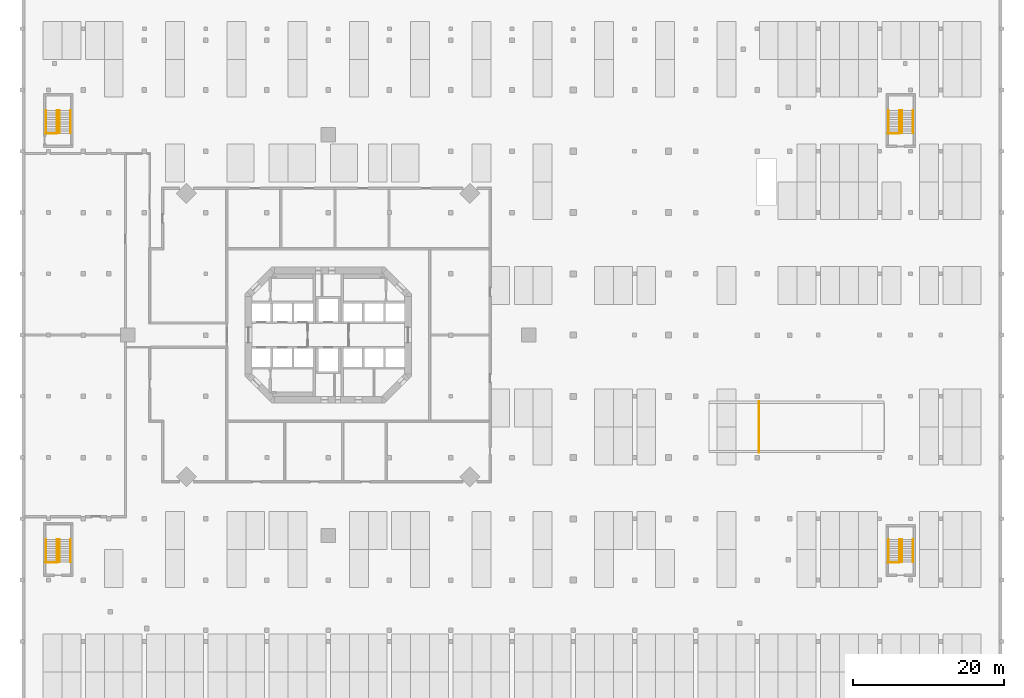
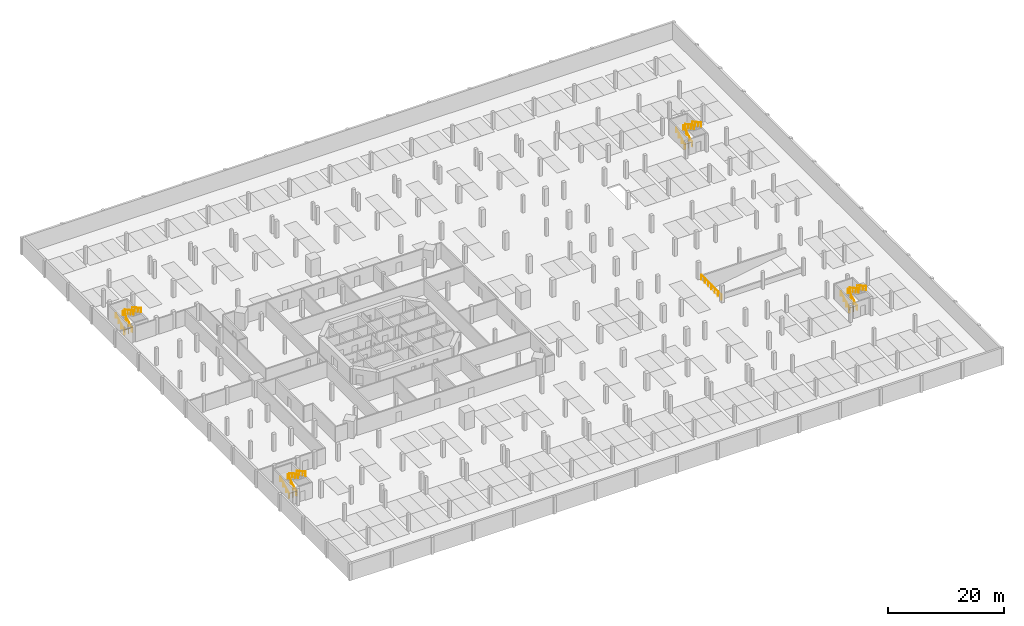
# One storey, part 14 of 14: 21 railings, 4 elements without a shape of their own.
"""IFC4 building model written with IfcOpenShell, lengths in metres."""

from ifc_helpers import new_model, si_unit, direction, frame, origin, origin_2d, place, context, subcontext, project, spatial, rectangle, extrude, material, type_object, element, aggregate, save


model = new_model("IFC4")

# Units and contexts
model_context = context("Model", 3, precision=1e-05, world=origin(), true_north=direction((0.0, 1.0)))
body_context = subcontext(model_context, "Body", "Model", "MODEL_VIEW")
ifc_project = project(units=[si_unit("LENGTHUNIT", "METRE"), si_unit("AREAUNIT", "SQUARE_METRE"), si_unit("VOLUMEUNIT", "CUBIC_METRE"), si_unit("PLANEANGLEUNIT", "RADIAN"), si_unit("MASSUNIT", "GRAM", prefix="KILO")], contexts=[model_context])

# Site, building, storey
site_placement = place(None, origin())
site = spatial("IfcSite", under=ifc_project, at=site_placement, CompositionType="ELEMENT")
building_placement = place(site_placement, origin())
building = spatial("IfcBuilding", under=site, at=building_placement, Name="Torre Triforio", CompositionType="ELEMENT")
storey_placement = place(building_placement, frame((0.0, 0.0, -7.199951171875)))
storey = spatial("IfcBuildingStorey", under=building, at=storey_placement, Name="B2", CompositionType="ELEMENT", Elevation=-7.199951171875)

# Railing
ifc_material_1 = material(Name="Stainless steel AISI 316", Category="steel")
railing_type_1 = type_object("IfcRailingType", Name="Ramp opening guard 1100", PredefinedType="GUARDRAIL", material=ifc_material_1)
railing_1_placement = place(storey_placement, frame((56.93994140625, -15.550048828125, 0.0)))
element("IfcRailing", 1, at=railing_1_placement, inside=storey, type_object=railing_type_1, Name="Car ramp B2 to B3 opening guard", PredefinedType="GUARDRAIL", context=body_context, shape_type="SweptSolid", body=[
    extrude(rectangle(XDim=0.048095703125, YDim=0.048095703125, at=origin_2d()), frame((0.0, 0.0, 1.076171875), z_axis=(0.0, 1.0, 0.0), x_axis=(-1.0, 0.0, 0.0)), (0.0, 0.0, 1.0), 6.800048828125),
    extrude(rectangle(XDim=0.0419921875, YDim=0.0419921875, at=origin_2d()), origin(), (0.0, 0.0, 1.0), 1.052001953125),
    extrude(rectangle(XDim=0.0419921875, YDim=0.0419921875, at=origin_2d()), frame((0.0, 1.13330078125, 0.0)), (0.0, 0.0, 1.0), 1.052001953125),
    extrude(rectangle(XDim=0.0419921875, YDim=0.0419921875, at=origin_2d()), frame((0.0, 2.2666015625, 0.0)), (0.0, 0.0, 1.0), 1.052001953125),
    extrude(rectangle(XDim=0.0419921875, YDim=0.0419921875, at=origin_2d()), frame((0.0, 3.39990234375, 0.0)), (0.0, 0.0, 1.0), 1.052001953125),
    extrude(rectangle(XDim=0.0419921875, YDim=0.0419921875, at=origin_2d()), frame((0.0, 4.533447265625, 0.0)), (0.0, 0.0, 1.0), 1.052001953125),
    extrude(rectangle(XDim=0.0419921875, YDim=0.0419921875, at=origin_2d()), frame((0.0, 5.666748046875, 0.0)), (0.0, 0.0, 1.0), 1.052001953125),
    extrude(rectangle(XDim=0.0419921875, YDim=0.0419921875, at=origin_2d()), frame((0.0, 6.800048828125, 0.0)), (0.0, 0.0, 1.0), 1.052001953125),
])

# Stair, railings
ifc_material_2 = material(Name="Concrete C40", Category="concrete")
stair_type = type_object("IfcStairType", Name="Egress stair 1400 clear", PredefinedType="NOTDEFINED", material=ifc_material_2)
stair_1_placement = place(storey_placement, origin())
stair_1 = element("IfcStair", 2, at=stair_1_placement, inside=storey, type_object=stair_type, Name="Exit stair BS1 B2 to B1", PredefinedType="NOTDEFINED")
railing_type_2 = type_object("IfcRailingType", Name="Stair handrail 920", PredefinedType="HANDRAIL", material=ifc_material_1)
railing_2_placement = place(storey_placement, frame((-37.324951171875, -30.02490234375, 0.16357421875)))
railing_2 = element("IfcRailing", 3, at=railing_2_placement, type_object=railing_type_2, Name="Handrail BS1", PredefinedType="HANDRAIL", context=body_context, shape_type="SweptSolid", body=[
    extrude(rectangle(XDim=0.048095703125, YDim=0.048095703125, at=origin_2d()), frame((0.0, 0.0, 0.89599609375), z_axis=(0.0, 0.877881921179, 0.478877158013), x_axis=(-1.0, 0.0, 0.0)), (0.0, 0.0, 1.0), 3.417236328125),
    extrude(rectangle(XDim=0.0419921875, YDim=0.0419921875, at=origin_2d()), origin(), (0.0, 0.0, 1.0), 0.871826171875),
    extrude(rectangle(XDim=0.0419921875, YDim=0.0419921875, at=origin_2d()), frame((0.0, 1.0, 0.54541015625)), (0.0, 0.0, 1.0), 0.871826171875),
    extrude(rectangle(XDim=0.0419921875, YDim=0.0419921875, at=origin_2d()), frame((0.0, 2.0, 1.091064453125)), (0.0, 0.0, 1.0), 0.871826171875),
    extrude(rectangle(XDim=0.0419921875, YDim=0.0419921875, at=origin_2d()), frame((0.0, 3.0, 1.636474609375)), (0.0, 0.0, 1.0), 0.871826171875),
])
railing_3_placement = place(storey_placement, frame((-35.875, -30.02490234375, 0.16357421875)))
railing_3 = element("IfcRailing", 4, at=railing_3_placement, type_object=railing_type_2, Name="Handrail BS1", PredefinedType="HANDRAIL", context=body_context, shape_type="SweptSolid", body=[
    extrude(rectangle(XDim=0.048095703125, YDim=0.048095703125, at=origin_2d()), frame((0.0, 0.0, 0.89599609375), z_axis=(0.0, 0.877881921179, 0.478877158013), x_axis=(-1.0, 0.0, 0.0)), (0.0, 0.0, 1.0), 3.417236328125),
    extrude(rectangle(XDim=0.0419921875, YDim=0.0419921875, at=origin_2d()), origin(), (0.0, 0.0, 1.0), 0.871826171875),
    extrude(rectangle(XDim=0.0419921875, YDim=0.0419921875, at=origin_2d()), frame((0.0, 1.0, 0.54541015625)), (0.0, 0.0, 1.0), 0.871826171875),
    extrude(rectangle(XDim=0.0419921875, YDim=0.0419921875, at=origin_2d()), frame((0.0, 2.0, 1.091064453125)), (0.0, 0.0, 1.0), 0.871826171875),
    extrude(rectangle(XDim=0.0419921875, YDim=0.0419921875, at=origin_2d()), frame((0.0, 3.0, 1.636474609375)), (0.0, 0.0, 1.0), 0.871826171875),
])
railing_4_placement = place(storey_placement, frame((-35.52490234375, -27.02490234375, 1.963623046875)))
railing_4 = element("IfcRailing", 5, at=railing_4_placement, type_object=railing_type_2, Name="Handrail BS1", PredefinedType="HANDRAIL", context=body_context, shape_type="SweptSolid", body=[
    extrude(rectangle(XDim=0.048095703125, YDim=0.048095703125, at=origin_2d()), frame((0.0, 0.0, 0.89599609375), z_axis=(0.0, -0.877911954615, 0.47882209634), x_axis=(1.0, 0.0, 0.0)), (0.0, 0.0, 1.0), 3.417236328125),
    extrude(rectangle(XDim=0.0419921875, YDim=0.0419921875, at=origin_2d()), origin(), (0.0, 0.0, 1.0), 0.871826171875),
    extrude(rectangle(XDim=0.0419921875, YDim=0.0419921875, at=origin_2d()), frame((0.0, -1.0, 0.54541015625)), (0.0, 0.0, 1.0), 0.871826171875),
    extrude(rectangle(XDim=0.0419921875, YDim=0.0419921875, at=origin_2d()), frame((0.0, -2.0, 1.0908203125)), (0.0, 0.0, 1.0), 0.871826171875),
    extrude(rectangle(XDim=0.0419921875, YDim=0.0419921875, at=origin_2d()), frame((0.0, -3.0, 1.63623046875)), (0.0, 0.0, 1.0), 0.871826171875),
])
railing_5_placement = place(storey_placement, frame((-34.074951171875, -27.02490234375, 1.963623046875)))
railing_5 = element("IfcRailing", 6, at=railing_5_placement, type_object=railing_type_2, Name="Handrail BS1", PredefinedType="HANDRAIL", context=body_context, shape_type="SweptSolid", body=[
    extrude(rectangle(XDim=0.048095703125, YDim=0.048095703125, at=origin_2d()), frame((0.0, 0.0, 0.89599609375), z_axis=(0.0, -0.877911954615, 0.47882209634), x_axis=(1.0, 0.0, 0.0)), (0.0, 0.0, 1.0), 3.417236328125),
    extrude(rectangle(XDim=0.0419921875, YDim=0.0419921875, at=origin_2d()), origin(), (0.0, 0.0, 1.0), 0.871826171875),
    extrude(rectangle(XDim=0.0419921875, YDim=0.0419921875, at=origin_2d()), frame((0.0, -1.0, 0.54541015625)), (0.0, 0.0, 1.0), 0.871826171875),
    extrude(rectangle(XDim=0.0419921875, YDim=0.0419921875, at=origin_2d()), frame((0.0, -2.0, 1.0908203125)), (0.0, 0.0, 1.0), 0.871826171875),
    extrude(rectangle(XDim=0.0419921875, YDim=0.0419921875, at=origin_2d()), frame((0.0, -3.0, 1.63623046875)), (0.0, 0.0, 1.0), 0.871826171875),
])
aggregate(stair_1, [railing_2, railing_3, railing_4, railing_5])

stair_2_placement = place(storey_placement, origin())
stair_2 = element("IfcStair", 7, at=stair_2_placement, inside=storey, type_object=stair_type, Name="Exit stair BS2 B2 to B1", PredefinedType="NOTDEFINED")
railing_6_placement = place(storey_placement, frame((-37.324951171875, 26.675048828125, 0.16357421875)))
railing_6 = element("IfcRailing", 8, at=railing_6_placement, type_object=railing_type_2, Name="Handrail BS2", PredefinedType="HANDRAIL", context=body_context, shape_type="SweptSolid", body=[
    extrude(rectangle(XDim=0.048095703125, YDim=0.048095703125, at=origin_2d()), frame((0.0, 0.0, 0.89599609375), z_axis=(0.0, 0.877881921179, 0.478877158013), x_axis=(-1.0, 0.0, 0.0)), (0.0, 0.0, 1.0), 3.417236328125),
    extrude(rectangle(XDim=0.0419921875, YDim=0.0419921875, at=origin_2d()), origin(), (0.0, 0.0, 1.0), 0.871826171875),
    extrude(rectangle(XDim=0.0419921875, YDim=0.0419921875, at=origin_2d()), frame((0.0, 1.0, 0.54541015625)), (0.0, 0.0, 1.0), 0.871826171875),
    extrude(rectangle(XDim=0.0419921875, YDim=0.0419921875, at=origin_2d()), frame((0.0, 2.0, 1.091064453125)), (0.0, 0.0, 1.0), 0.871826171875),
    extrude(rectangle(XDim=0.0419921875, YDim=0.0419921875, at=origin_2d()), frame((0.0, 3.0, 1.636474609375)), (0.0, 0.0, 1.0), 0.871826171875),
])
railing_7_placement = place(storey_placement, frame((-35.875, 26.675048828125, 0.16357421875)))
railing_7 = element("IfcRailing", 9, at=railing_7_placement, type_object=railing_type_2, Name="Handrail BS2", PredefinedType="HANDRAIL", context=body_context, shape_type="SweptSolid", body=[
    extrude(rectangle(XDim=0.048095703125, YDim=0.048095703125, at=origin_2d()), frame((0.0, 0.0, 0.89599609375), z_axis=(0.0, 0.877881921179, 0.478877158013), x_axis=(-1.0, 0.0, 0.0)), (0.0, 0.0, 1.0), 3.417236328125),
    extrude(rectangle(XDim=0.0419921875, YDim=0.0419921875, at=origin_2d()), origin(), (0.0, 0.0, 1.0), 0.871826171875),
    extrude(rectangle(XDim=0.0419921875, YDim=0.0419921875, at=origin_2d()), frame((0.0, 1.0, 0.54541015625)), (0.0, 0.0, 1.0), 0.871826171875),
    extrude(rectangle(XDim=0.0419921875, YDim=0.0419921875, at=origin_2d()), frame((0.0, 2.0, 1.091064453125)), (0.0, 0.0, 1.0), 0.871826171875),
    extrude(rectangle(XDim=0.0419921875, YDim=0.0419921875, at=origin_2d()), frame((0.0, 3.0, 1.636474609375)), (0.0, 0.0, 1.0), 0.871826171875),
])
railing_8_placement = place(storey_placement, frame((-35.52490234375, 29.675048828125, 1.963623046875)))
railing_8 = element("IfcRailing", 10, at=railing_8_placement, type_object=railing_type_2, Name="Handrail BS2", PredefinedType="HANDRAIL", context=body_context, shape_type="SweptSolid", body=[
    extrude(rectangle(XDim=0.048095703125, YDim=0.048095703125, at=origin_2d()), frame((0.0, 0.0, 0.89599609375), z_axis=(0.0, -0.877911954615, 0.47882209634), x_axis=(1.0, 0.0, 0.0)), (0.0, 0.0, 1.0), 3.417236328125),
    extrude(rectangle(XDim=0.0419921875, YDim=0.0419921875, at=origin_2d()), origin(), (0.0, 0.0, 1.0), 0.871826171875),
    extrude(rectangle(XDim=0.0419921875, YDim=0.0419921875, at=origin_2d()), frame((0.0, -1.0, 0.54541015625)), (0.0, 0.0, 1.0), 0.871826171875),
    extrude(rectangle(XDim=0.0419921875, YDim=0.0419921875, at=origin_2d()), frame((0.0, -2.0, 1.0908203125)), (0.0, 0.0, 1.0), 0.871826171875),
    extrude(rectangle(XDim=0.0419921875, YDim=0.0419921875, at=origin_2d()), frame((0.0, -3.0, 1.63623046875)), (0.0, 0.0, 1.0), 0.871826171875),
])
railing_9_placement = place(storey_placement, frame((-34.074951171875, 29.675048828125, 1.963623046875)))
railing_9 = element("IfcRailing", 11, at=railing_9_placement, type_object=railing_type_2, Name="Handrail BS2", PredefinedType="HANDRAIL", context=body_context, shape_type="SweptSolid", body=[
    extrude(rectangle(XDim=0.048095703125, YDim=0.048095703125, at=origin_2d()), frame((0.0, 0.0, 0.89599609375), z_axis=(0.0, -0.877911954615, 0.47882209634), x_axis=(1.0, 0.0, 0.0)), (0.0, 0.0, 1.0), 3.417236328125),
    extrude(rectangle(XDim=0.0419921875, YDim=0.0419921875, at=origin_2d()), origin(), (0.0, 0.0, 1.0), 0.871826171875),
    extrude(rectangle(XDim=0.0419921875, YDim=0.0419921875, at=origin_2d()), frame((0.0, -1.0, 0.54541015625)), (0.0, 0.0, 1.0), 0.871826171875),
    extrude(rectangle(XDim=0.0419921875, YDim=0.0419921875, at=origin_2d()), frame((0.0, -2.0, 1.0908203125)), (0.0, 0.0, 1.0), 0.871826171875),
    extrude(rectangle(XDim=0.0419921875, YDim=0.0419921875, at=origin_2d()), frame((0.0, -3.0, 1.63623046875)), (0.0, 0.0, 1.0), 0.871826171875),
])
aggregate(stair_2, [railing_6, railing_7, railing_8, railing_9])

stair_3_placement = place(storey_placement, origin())
stair_3 = element("IfcStair", 12, at=stair_3_placement, inside=storey, type_object=stair_type, Name="Exit stair BS3 B2 to B1", PredefinedType="NOTDEFINED")
railing_10_placement = place(storey_placement, frame((74.074951171875, -30.02490234375, 0.16357421875)))
railing_10 = element("IfcRailing", 13, at=railing_10_placement, type_object=railing_type_2, Name="Handrail BS3", PredefinedType="HANDRAIL", context=body_context, shape_type="SweptSolid", body=[
    extrude(rectangle(XDim=0.048095703125, YDim=0.048095703125, at=origin_2d()), frame((0.0, 0.0, 0.89599609375), z_axis=(0.0, 0.877881921179, 0.478877158013), x_axis=(-1.0, 0.0, 0.0)), (0.0, 0.0, 1.0), 3.417236328125),
    extrude(rectangle(XDim=0.0419921875, YDim=0.0419921875, at=origin_2d()), origin(), (0.0, 0.0, 1.0), 0.871826171875),
    extrude(rectangle(XDim=0.0419921875, YDim=0.0419921875, at=origin_2d()), frame((0.0, 1.0, 0.54541015625)), (0.0, 0.0, 1.0), 0.871826171875),
    extrude(rectangle(XDim=0.0419921875, YDim=0.0419921875, at=origin_2d()), frame((0.0, 2.0, 1.091064453125)), (0.0, 0.0, 1.0), 0.871826171875),
    extrude(rectangle(XDim=0.0419921875, YDim=0.0419921875, at=origin_2d()), frame((0.0, 3.0, 1.636474609375)), (0.0, 0.0, 1.0), 0.871826171875),
])
railing_11_placement = place(storey_placement, frame((75.52490234375, -30.02490234375, 0.16357421875)))
railing_11 = element("IfcRailing", 14, at=railing_11_placement, type_object=railing_type_2, Name="Handrail BS3", PredefinedType="HANDRAIL", context=body_context, shape_type="SweptSolid", body=[
    extrude(rectangle(XDim=0.048095703125, YDim=0.048095703125, at=origin_2d()), frame((0.0, 0.0, 0.89599609375), z_axis=(0.0, 0.877881921179, 0.478877158013), x_axis=(-1.0, 0.0, 0.0)), (0.0, 0.0, 1.0), 3.417236328125),
    extrude(rectangle(XDim=0.0419921875, YDim=0.0419921875, at=origin_2d()), origin(), (0.0, 0.0, 1.0), 0.871826171875),
    extrude(rectangle(XDim=0.0419921875, YDim=0.0419921875, at=origin_2d()), frame((0.0, 1.0, 0.54541015625)), (0.0, 0.0, 1.0), 0.871826171875),
    extrude(rectangle(XDim=0.0419921875, YDim=0.0419921875, at=origin_2d()), frame((0.0, 2.0, 1.091064453125)), (0.0, 0.0, 1.0), 0.871826171875),
    extrude(rectangle(XDim=0.0419921875, YDim=0.0419921875, at=origin_2d()), frame((0.0, 3.0, 1.636474609375)), (0.0, 0.0, 1.0), 0.871826171875),
])
railing_12_placement = place(storey_placement, frame((75.875, -27.02490234375, 1.963623046875)))
railing_12 = element("IfcRailing", 15, at=railing_12_placement, type_object=railing_type_2, Name="Handrail BS3", PredefinedType="HANDRAIL", context=body_context, shape_type="SweptSolid", body=[
    extrude(rectangle(XDim=0.048095703125, YDim=0.048095703125, at=origin_2d()), frame((0.0, 0.0, 0.89599609375), z_axis=(0.0, -0.877911954615, 0.47882209634), x_axis=(1.0, 0.0, 0.0)), (0.0, 0.0, 1.0), 3.417236328125),
    extrude(rectangle(XDim=0.0419921875, YDim=0.0419921875, at=origin_2d()), origin(), (0.0, 0.0, 1.0), 0.871826171875),
    extrude(rectangle(XDim=0.0419921875, YDim=0.0419921875, at=origin_2d()), frame((0.0, -1.0, 0.54541015625)), (0.0, 0.0, 1.0), 0.871826171875),
    extrude(rectangle(XDim=0.0419921875, YDim=0.0419921875, at=origin_2d()), frame((0.0, -2.0, 1.0908203125)), (0.0, 0.0, 1.0), 0.871826171875),
    extrude(rectangle(XDim=0.0419921875, YDim=0.0419921875, at=origin_2d()), frame((0.0, -3.0, 1.63623046875)), (0.0, 0.0, 1.0), 0.871826171875),
])
railing_13_placement = place(storey_placement, frame((77.324951171875, -27.02490234375, 1.963623046875)))
railing_13 = element("IfcRailing", 16, at=railing_13_placement, type_object=railing_type_2, Name="Handrail BS3", PredefinedType="HANDRAIL", context=body_context, shape_type="SweptSolid", body=[
    extrude(rectangle(XDim=0.048095703125, YDim=0.048095703125, at=origin_2d()), frame((0.0, 0.0, 0.89599609375), z_axis=(0.0, -0.877911954615, 0.47882209634), x_axis=(1.0, 0.0, 0.0)), (0.0, 0.0, 1.0), 3.417236328125),
    extrude(rectangle(XDim=0.0419921875, YDim=0.0419921875, at=origin_2d()), origin(), (0.0, 0.0, 1.0), 0.871826171875),
    extrude(rectangle(XDim=0.0419921875, YDim=0.0419921875, at=origin_2d()), frame((0.0, -1.0, 0.54541015625)), (0.0, 0.0, 1.0), 0.871826171875),
    extrude(rectangle(XDim=0.0419921875, YDim=0.0419921875, at=origin_2d()), frame((0.0, -2.0, 1.0908203125)), (0.0, 0.0, 1.0), 0.871826171875),
    extrude(rectangle(XDim=0.0419921875, YDim=0.0419921875, at=origin_2d()), frame((0.0, -3.0, 1.63623046875)), (0.0, 0.0, 1.0), 0.871826171875),
])
aggregate(stair_3, [railing_10, railing_11, railing_12, railing_13])

stair_4_placement = place(storey_placement, origin())
stair_4 = element("IfcStair", 17, at=stair_4_placement, inside=storey, type_object=stair_type, Name="Exit stair BS4 B2 to B1", PredefinedType="NOTDEFINED")
railing_14_placement = place(storey_placement, frame((74.074951171875, 26.675048828125, 0.16357421875)))
railing_14 = element("IfcRailing", 18, at=railing_14_placement, type_object=railing_type_2, Name="Handrail BS4", PredefinedType="HANDRAIL", context=body_context, shape_type="SweptSolid", body=[
    extrude(rectangle(XDim=0.048095703125, YDim=0.048095703125, at=origin_2d()), frame((0.0, 0.0, 0.89599609375), z_axis=(0.0, 0.877881921179, 0.478877158013), x_axis=(-1.0, 0.0, 0.0)), (0.0, 0.0, 1.0), 3.417236328125),
    extrude(rectangle(XDim=0.0419921875, YDim=0.0419921875, at=origin_2d()), origin(), (0.0, 0.0, 1.0), 0.871826171875),
    extrude(rectangle(XDim=0.0419921875, YDim=0.0419921875, at=origin_2d()), frame((0.0, 1.0, 0.54541015625)), (0.0, 0.0, 1.0), 0.871826171875),
    extrude(rectangle(XDim=0.0419921875, YDim=0.0419921875, at=origin_2d()), frame((0.0, 2.0, 1.091064453125)), (0.0, 0.0, 1.0), 0.871826171875),
    extrude(rectangle(XDim=0.0419921875, YDim=0.0419921875, at=origin_2d()), frame((0.0, 3.0, 1.636474609375)), (0.0, 0.0, 1.0), 0.871826171875),
])
railing_15_placement = place(storey_placement, frame((75.52490234375, 26.675048828125, 0.16357421875)))
railing_15 = element("IfcRailing", 19, at=railing_15_placement, type_object=railing_type_2, Name="Handrail BS4", PredefinedType="HANDRAIL", context=body_context, shape_type="SweptSolid", body=[
    extrude(rectangle(XDim=0.048095703125, YDim=0.048095703125, at=origin_2d()), frame((0.0, 0.0, 0.89599609375), z_axis=(0.0, 0.877881921179, 0.478877158013), x_axis=(-1.0, 0.0, 0.0)), (0.0, 0.0, 1.0), 3.417236328125),
    extrude(rectangle(XDim=0.0419921875, YDim=0.0419921875, at=origin_2d()), origin(), (0.0, 0.0, 1.0), 0.871826171875),
    extrude(rectangle(XDim=0.0419921875, YDim=0.0419921875, at=origin_2d()), frame((0.0, 1.0, 0.54541015625)), (0.0, 0.0, 1.0), 0.871826171875),
    extrude(rectangle(XDim=0.0419921875, YDim=0.0419921875, at=origin_2d()), frame((0.0, 2.0, 1.091064453125)), (0.0, 0.0, 1.0), 0.871826171875),
    extrude(rectangle(XDim=0.0419921875, YDim=0.0419921875, at=origin_2d()), frame((0.0, 3.0, 1.636474609375)), (0.0, 0.0, 1.0), 0.871826171875),
])
railing_16_placement = place(storey_placement, frame((75.875, 29.675048828125, 1.963623046875)))
railing_16 = element("IfcRailing", 20, at=railing_16_placement, type_object=railing_type_2, Name="Handrail BS4", PredefinedType="HANDRAIL", context=body_context, shape_type="SweptSolid", body=[
    extrude(rectangle(XDim=0.048095703125, YDim=0.048095703125, at=origin_2d()), frame((0.0, 0.0, 0.89599609375), z_axis=(0.0, -0.877911954615, 0.47882209634), x_axis=(1.0, 0.0, 0.0)), (0.0, 0.0, 1.0), 3.417236328125),
    extrude(rectangle(XDim=0.0419921875, YDim=0.0419921875, at=origin_2d()), origin(), (0.0, 0.0, 1.0), 0.871826171875),
    extrude(rectangle(XDim=0.0419921875, YDim=0.0419921875, at=origin_2d()), frame((0.0, -1.0, 0.54541015625)), (0.0, 0.0, 1.0), 0.871826171875),
    extrude(rectangle(XDim=0.0419921875, YDim=0.0419921875, at=origin_2d()), frame((0.0, -2.0, 1.0908203125)), (0.0, 0.0, 1.0), 0.871826171875),
    extrude(rectangle(XDim=0.0419921875, YDim=0.0419921875, at=origin_2d()), frame((0.0, -3.0, 1.63623046875)), (0.0, 0.0, 1.0), 0.871826171875),
])
railing_17_placement = place(storey_placement, frame((77.324951171875, 29.675048828125, 1.963623046875)))
railing_17 = element("IfcRailing", 21, at=railing_17_placement, type_object=railing_type_2, Name="Handrail BS4", PredefinedType="HANDRAIL", context=body_context, shape_type="SweptSolid", body=[
    extrude(rectangle(XDim=0.048095703125, YDim=0.048095703125, at=origin_2d()), frame((0.0, 0.0, 0.89599609375), z_axis=(0.0, -0.877911954615, 0.47882209634), x_axis=(1.0, 0.0, 0.0)), (0.0, 0.0, 1.0), 3.417236328125),
    extrude(rectangle(XDim=0.0419921875, YDim=0.0419921875, at=origin_2d()), origin(), (0.0, 0.0, 1.0), 0.871826171875),
    extrude(rectangle(XDim=0.0419921875, YDim=0.0419921875, at=origin_2d()), frame((0.0, -1.0, 0.54541015625)), (0.0, 0.0, 1.0), 0.871826171875),
    extrude(rectangle(XDim=0.0419921875, YDim=0.0419921875, at=origin_2d()), frame((0.0, -2.0, 1.0908203125)), (0.0, 0.0, 1.0), 0.871826171875),
    extrude(rectangle(XDim=0.0419921875, YDim=0.0419921875, at=origin_2d()), frame((0.0, -3.0, 1.63623046875)), (0.0, 0.0, 1.0), 0.871826171875),
])
aggregate(stair_4, [railing_14, railing_15, railing_16, railing_17])

# Railings
railing_type_3 = type_object("IfcRailingType", Name="Stair well guard 1100", PredefinedType="GUARDRAIL", material=ifc_material_1)
for number, where, name in (
    (22, (-37.375, -30.074951171875, 0.0), "Guard BS1 B2"),
    (23, (-37.375, 26.625, 0.0), "Guard BS2 B2"),
    (24, (74.02490234375, -30.074951171875, 0.0), "Guard BS3 B2"),
    (25, (74.02490234375, 26.625, 0.0), "Guard BS4 B2"),
):
    element("IfcRailing", number, at=place(storey_placement, frame(where)), inside=storey, type_object=railing_type_3, Name=name, PredefinedType="GUARDRAIL", context=body_context, shape_type="SweptSolid", body=[
        extrude(rectangle(XDim=0.048095703125, YDim=0.048095703125, at=origin_2d()), frame((0.0, 0.0, 1.076171875), z_axis=(1.0, 0.0, 0.0), x_axis=(0.0, 1.0, 0.0)), (0.0, 0.0, 1.0), 1.550048828125),
        extrude(rectangle(XDim=0.0419921875, YDim=0.0419921875, at=origin_2d()), origin(), (0.0, 0.0, 1.0), 1.052001953125),
        extrude(rectangle(XDim=0.0419921875, YDim=0.0419921875, at=origin_2d()), frame((0.77490234375, 0.0, 0.0)), (0.0, 0.0, 1.0), 1.052001953125),
        extrude(rectangle(XDim=0.0419921875, YDim=0.0419921875, at=origin_2d()), frame((1.550048828125, 0.0, 0.0)), (0.0, 0.0, 1.0), 1.052001953125),
    ])

save(model, "model.ifc")
